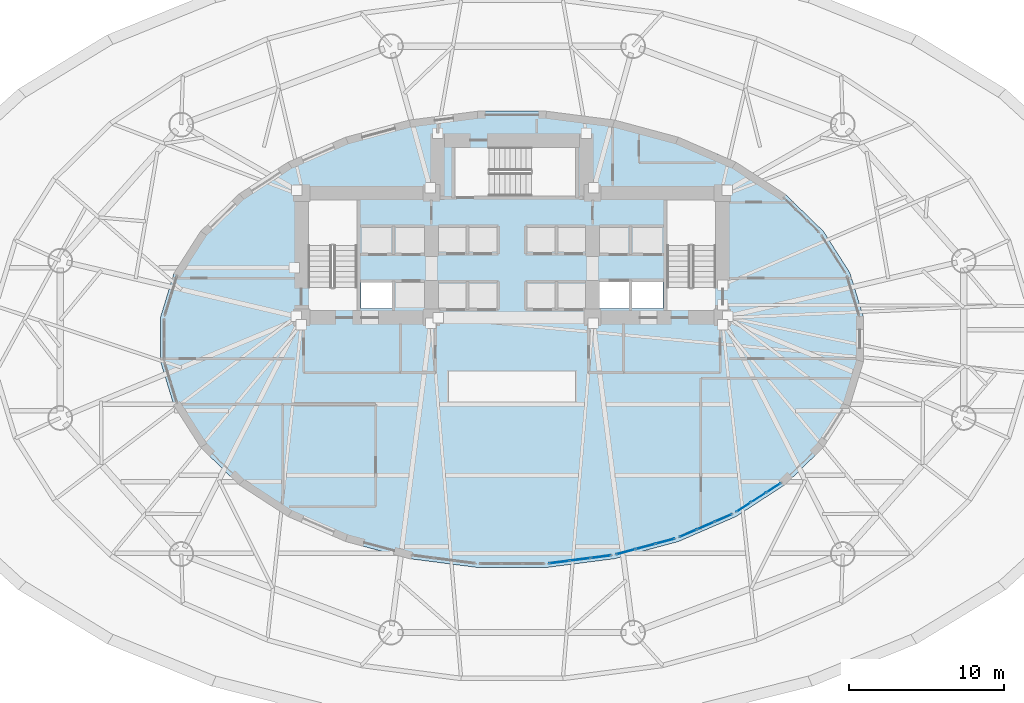
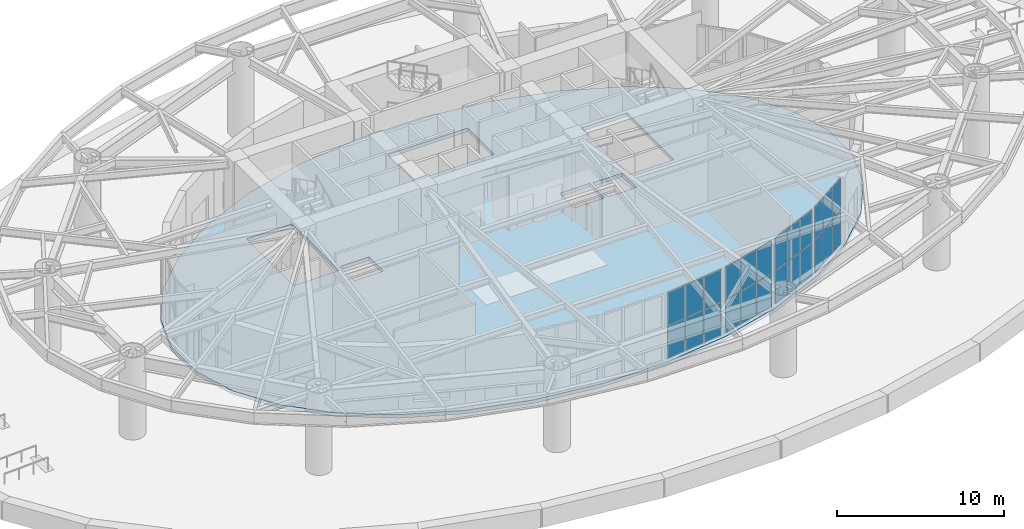
# One storey, part 11 of 21: 24 plates, 1 slab, 4 elements without a shape of their own.
"""IFC4 building model written with IfcOpenShell, lengths in metres."""

from ifc_helpers import new_model, si_unit, direction, frame, origin, origin_2d, place, context, subcontext, project, spatial, polyline, rectangle, outline, extrude, material, layer, layer_set, type_object, element, aggregate, save


model = new_model("IFC4")

# Units and contexts
model_context = context("Model", 3, precision=1e-05, world=origin(), true_north=direction((0.0, 1.0)))
body_context = subcontext(model_context, "Body", "Model", "MODEL_VIEW")
ifc_project = project(units=[si_unit("LENGTHUNIT", "METRE"), si_unit("AREAUNIT", "SQUARE_METRE"), si_unit("VOLUMEUNIT", "CUBIC_METRE"), si_unit("PLANEANGLEUNIT", "RADIAN"), si_unit("MASSUNIT", "GRAM", prefix="KILO")], contexts=[model_context])

# Site, building, storey
site_placement = place(None, origin())
site = spatial("IfcSite", under=ifc_project, at=site_placement, CompositionType="ELEMENT")
building_placement = place(site_placement, origin())
building = spatial("IfcBuilding", under=site, at=building_placement, Name="Keldmark Tower", CompositionType="ELEMENT")
storey_placement = place(building_placement, origin())
storey = spatial("IfcBuildingStorey", under=building, at=storey_placement, Name="L00", CompositionType="ELEMENT", Elevation=0.0)

# Slab
ifc_material_1 = material(Name="Concrete C35/45", Category="concrete")
ifc_layer_1 = layer(ifc_material_1, 0.260009765625)
ifc_layer_set_1 = layer_set([ifc_layer_1], Name="Concrete C35/45")
slab_type = type_object("IfcSlabType", Name="Podium Ground Slab 260 mm", PredefinedType="FLOOR", material=ifc_layer_set_1)
slab_placement = place(storey_placement, frame((0.0, 0.0, -0.260009765625)))
element("IfcSlab", 1, at=slab_placement, inside=storey, type_object=slab_type, Name="L00 Wintergarden Lobby Structural Slab", PredefinedType="FLOOR", context=body_context, shape_type="SweptSolid", body=[
    extrude(outline(polyline([(22.690185546875, 1.45068359375), (21.818115234375, 4.296142578125), (20.10791015625, 6.976806640625), (17.62451171875, 9.388916015625), (14.464111328125, 11.440673828125), (10.747802734375, 13.052490234375), (6.618408203125, 14.16259765625), (2.23486328125, 14.728759765625), (-2.23486328125, 14.728759765625), (-6.618408203125, 14.16259765625), (-10.747802734375, 13.052490234375), (-14.464111328125, 11.440673828125), (-17.62451171875, 9.388916015625), (-20.10791015625, 6.976806640625), (-21.818115234375, 4.296142578125), (-22.690185546875, 1.45068359375), (-22.690185546875, -1.45068359375), (-21.818115234375, -4.296142578125), (-20.10791015625, -6.976806640625), (-17.62451171875, -9.388916015625), (-14.464111328125, -11.440673828125), (-10.747802734375, -13.052490234375), (-6.618408203125, -14.16259765625), (-2.23486328125, -14.728759765625), (2.23486328125, -14.728759765625), (6.618408203125, -14.16259765625), (10.747802734375, -13.052490234375), (14.464111328125, -11.440673828125), (17.62451171875, -9.388916015625), (20.10791015625, -6.976806640625), (21.818115234375, -4.296142578125), (22.690185546875, -1.45068359375), (22.690185546875, 1.45068359375)]), holes=[polyline([(-10.0, 3.385009765625), (-10.0, 9.0), (-13.14990234375, 9.0), (-13.14990234375, 3.385009765625), (-10.0, 3.385009765625)]), polyline([(13.14990234375, 3.385009765625), (13.14990234375, 9.0), (10.0, 9.0), (10.0, 3.385009765625), (13.14990234375, 3.385009765625)]), polyline([(-1.43994140625, 9.25), (4.10498046875, 9.25), (4.10498046875, 12.39990234375), (-1.43994140625, 12.39990234375), (-1.43994140625, 9.25)]), polyline([(-9.75, 2.0), (-7.75, 2.0), (-7.75, 3.699951171875), (-9.75, 3.699951171875), (-9.75, 2.0)]), polyline([(7.75, 2.0), (9.75, 2.0), (9.75, 3.699951171875), (7.75, 3.699951171875), (7.75, 2.0)]), polyline([(5.449951171875, 2.0), (7.550048828125, 2.0), (7.550048828125, 3.75), (5.449951171875, 3.75), (5.449951171875, 2.0)])]), origin(), (0.0, 0.0, 1.0), 0.260009765625),
])

# Curtain wall, plates
ifc_material_2 = material(Name="Unitized Thermally Broken Aluminum and Triple Low-E Glazing", Category="aluminium")
ifc_layer_2 = layer(ifc_material_2, 0.219970703125)
ifc_layer_set_2 = layer_set([ifc_layer_2], Name="Unitized Thermally Broken Aluminum and Triple Low-E Glazing")
curtain_wall_type = type_object("IfcCurtainWallType", Name="Podium Wintergarden Curtain Wall System", PredefinedType="NOTDEFINED", material=ifc_layer_set_2)
curtain_wall_1_placement = place(storey_placement, origin())
curtain_wall_1 = element("IfcCurtainWall", 2, at=curtain_wall_1_placement, inside=storey, type_object=curtain_wall_type, Name="L00 Podium Wintergarden Curtain Wall System CW-L00-25", PredefinedType="NOTDEFINED")
ifc_material_3 = material(Name="Triple Silver Low-E Insulated Glass Unit", Category="glass")
ifc_layer_3 = layer(ifc_material_3, 0.035888671875)
ifc_layer_set_3 = layer_set([ifc_layer_3], Name="Triple Silver Low-E Insulated Glass Unit")
plate_type = type_object("IfcPlateType", Name="Triple Low-E Vision Glazing Panel 36 mm", PredefinedType="CURTAIN_PANEL", material=ifc_layer_set_3)
plate_1_placement = place(storey_placement, frame((3.042236328125, -14.382568359375, 0.06005859375), z_axis=(0.0, 0.0, 1.0), x_axis=(0.991766193683, 0.128061770519, 0.0)))
plate_1 = element("IfcPlate", 3, at=plate_1_placement, type_object=plate_type, Name="CW panel 1.1", PredefinedType="CURTAIN_PANEL", context=body_context, shape_type="SweptSolid", body=[
    extrude(rectangle(XDim=1.2900390625, YDim=0.035888671875, at=origin_2d()), origin(), (0.0, 0.0, 1.0), 2.364501953125),
])
plate_2_placement = place(storey_placement, frame((3.042236328125, -14.382568359375, 2.484375), z_axis=(0.0, 0.0, 1.0), x_axis=(0.991766193683, 0.128061770519, 0.0)))
plate_2 = element("IfcPlate", 4, at=plate_2_placement, type_object=plate_type, Name="CW panel 1.2", PredefinedType="CURTAIN_PANEL", context=body_context, shape_type="SweptSolid", body=[
    extrude(rectangle(XDim=1.2900390625, YDim=0.035888671875, at=origin_2d()), origin(), (0.0, 0.0, 1.0), 2.364501953125),
])
plate_3_placement = place(storey_placement, frame((4.39599609375, -14.207763671875, 0.06005859375), z_axis=(0.0, 0.0, 1.0), x_axis=(0.991766193683, 0.128061770519, 0.0)))
plate_3 = element("IfcPlate", 5, at=plate_3_placement, type_object=plate_type, Name="CW panel 2.1", PredefinedType="CURTAIN_PANEL", context=body_context, shape_type="SweptSolid", body=[
    extrude(rectangle(XDim=1.320068359375, YDim=0.035888671875, at=origin_2d()), origin(), (0.0, 0.0, 1.0), 2.364501953125),
])
plate_4_placement = place(storey_placement, frame((4.39599609375, -14.207763671875, 2.484375), z_axis=(0.0, 0.0, 1.0), x_axis=(0.991766193683, 0.128061770519, 0.0)))
plate_4 = element("IfcPlate", 6, at=plate_4_placement, type_object=plate_type, Name="CW panel 2.2", PredefinedType="CURTAIN_PANEL", context=body_context, shape_type="SweptSolid", body=[
    extrude(rectangle(XDim=1.320068359375, YDim=0.035888671875, at=origin_2d()), origin(), (0.0, 0.0, 1.0), 2.364501953125),
])
plate_5_placement = place(storey_placement, frame((5.749755859375, -14.032958984375, 0.06005859375), z_axis=(0.0, 0.0, 1.0), x_axis=(0.991766193683, 0.128061770519, 0.0)))
plate_5 = element("IfcPlate", 7, at=plate_5_placement, type_object=plate_type, Name="CW panel 3.1", PredefinedType="CURTAIN_PANEL", context=body_context, shape_type="SweptSolid", body=[
    extrude(rectangle(XDim=1.2900390625, YDim=0.035888671875, at=origin_2d()), origin(), (0.0, 0.0, 1.0), 2.364501953125),
])
plate_6_placement = place(storey_placement, frame((5.749755859375, -14.032958984375, 2.484375), z_axis=(0.0, 0.0, 1.0), x_axis=(0.991766193683, 0.128061770519, 0.0)))
plate_6 = element("IfcPlate", 8, at=plate_6_placement, type_object=plate_type, Name="CW panel 3.2", PredefinedType="CURTAIN_PANEL", context=body_context, shape_type="SweptSolid", body=[
    extrude(rectangle(XDim=1.2900390625, YDim=0.035888671875, at=origin_2d()), origin(), (0.0, 0.0, 1.0), 2.364501953125),
])
aggregate(curtain_wall_1, [plate_1, plate_2, plate_3, plate_4, plate_5, plate_6])

curtain_wall_2_placement = place(storey_placement, origin())
curtain_wall_2 = element("IfcCurtainWall", 9, at=curtain_wall_2_placement, inside=storey, type_object=curtain_wall_type, Name="L00 Podium Wintergarden Curtain Wall System CW-L00-26", PredefinedType="NOTDEFINED")
plate_7_placement = place(storey_placement, frame((7.34912109375, -13.7177734375, 0.06005859375), z_axis=(0.0, 0.0, 1.0), x_axis=(0.965705826517, 0.259638704032, 0.0)))
plate_7 = element("IfcPlate", 10, at=plate_7_placement, type_object=plate_type, Name="CW panel 1.1", PredefinedType="CURTAIN_PANEL", context=body_context, shape_type="SweptSolid", body=[
    extrude(rectangle(XDim=1.241943359375, YDim=0.035888671875, at=origin_2d()), origin(), (0.0, 0.0, 1.0), 2.364501953125),
])
plate_8_placement = place(storey_placement, frame((7.34912109375, -13.7177734375, 2.484375), z_axis=(0.0, 0.0, 1.0), x_axis=(0.965705826517, 0.259638704032, 0.0)))
plate_8 = element("IfcPlate", 11, at=plate_8_placement, type_object=plate_type, Name="CW panel 1.2", PredefinedType="CURTAIN_PANEL", context=body_context, shape_type="SweptSolid", body=[
    extrude(rectangle(XDim=1.241943359375, YDim=0.035888671875, at=origin_2d()), origin(), (0.0, 0.0, 1.0), 2.364501953125),
])
plate_9_placement = place(storey_placement, frame((8.620849609375, -13.375732421875, 0.06005859375), z_axis=(0.0, 0.0, 1.0), x_axis=(0.965705826517, 0.259638704032, 0.0)))
plate_9 = element("IfcPlate", 12, at=plate_9_placement, type_object=plate_type, Name="CW panel 2.1", PredefinedType="CURTAIN_PANEL", context=body_context, shape_type="SweptSolid", body=[
    extrude(rectangle(XDim=1.27197265625, YDim=0.035888671875, at=origin_2d()), origin(), (0.0, 0.0, 1.0), 2.364501953125),
])
plate_10_placement = place(storey_placement, frame((8.620849609375, -13.375732421875, 2.484375), z_axis=(0.0, 0.0, 1.0), x_axis=(0.965705826517, 0.259638704032, 0.0)))
plate_10 = element("IfcPlate", 13, at=plate_10_placement, type_object=plate_type, Name="CW panel 2.2", PredefinedType="CURTAIN_PANEL", context=body_context, shape_type="SweptSolid", body=[
    extrude(rectangle(XDim=1.27197265625, YDim=0.035888671875, at=origin_2d()), origin(), (0.0, 0.0, 1.0), 2.364501953125),
])
plate_11_placement = place(storey_placement, frame((9.892578125, -13.03369140625, 0.06005859375), z_axis=(0.0, 0.0, 1.0), x_axis=(0.965705826517, 0.259638704032, 0.0)))
plate_11 = element("IfcPlate", 14, at=plate_11_placement, type_object=plate_type, Name="CW panel 3.1", PredefinedType="CURTAIN_PANEL", context=body_context, shape_type="SweptSolid", body=[
    extrude(rectangle(XDim=1.241943359375, YDim=0.035888671875, at=origin_2d()), origin(), (0.0, 0.0, 1.0), 2.364501953125),
])
plate_12_placement = place(storey_placement, frame((9.892578125, -13.03369140625, 2.484375), z_axis=(0.0, 0.0, 1.0), x_axis=(0.965705826517, 0.259638704032, 0.0)))
plate_12 = element("IfcPlate", 15, at=plate_12_placement, type_object=plate_type, Name="CW panel 3.2", PredefinedType="CURTAIN_PANEL", context=body_context, shape_type="SweptSolid", body=[
    extrude(rectangle(XDim=1.241943359375, YDim=0.035888671875, at=origin_2d()), origin(), (0.0, 0.0, 1.0), 2.364501953125),
])
aggregate(curtain_wall_2, [plate_7, plate_8, plate_9, plate_10, plate_11, plate_12])

curtain_wall_3_placement = place(storey_placement, origin())
curtain_wall_3 = element("IfcCurtainWall", 16, at=curtain_wall_3_placement, inside=storey, type_object=curtain_wall_type, Name="L00 Podium Wintergarden Curtain Wall System CW-L00-27", PredefinedType="NOTDEFINED")
plate_13_placement = place(storey_placement, frame((11.37109375, -12.5205078125, 0.06005859375), z_axis=(0.0, 0.0, 1.0), x_axis=(0.91743561751, 0.397884264234, 0.0)))
plate_13 = element("IfcPlate", 17, at=plate_13_placement, type_object=plate_type, Name="CW panel 1.1", PredefinedType="CURTAIN_PANEL", context=body_context, shape_type="SweptSolid", body=[
    extrude(rectangle(XDim=1.1669921875, YDim=0.035888671875, at=origin_2d()), origin(), (0.0, 0.0, 1.0), 2.364501953125),
])
plate_14_placement = place(storey_placement, frame((11.37109375, -12.5205078125, 2.484375), z_axis=(0.0, 0.0, 1.0), x_axis=(0.91743561751, 0.397884264234, 0.0)))
plate_14 = element("IfcPlate", 18, at=plate_14_placement, type_object=plate_type, Name="CW panel 1.2", PredefinedType="CURTAIN_PANEL", context=body_context, shape_type="SweptSolid", body=[
    extrude(rectangle(XDim=1.1669921875, YDim=0.035888671875, at=origin_2d()), origin(), (0.0, 0.0, 1.0), 2.364501953125),
])
plate_15_placement = place(storey_placement, frame((12.510498046875, -12.0263671875, 0.06005859375), z_axis=(0.0, 0.0, 1.0), x_axis=(0.91743561751, 0.397884264234, 0.0)))
plate_15 = element("IfcPlate", 19, at=plate_15_placement, type_object=plate_type, Name="CW panel 2.1", PredefinedType="CURTAIN_PANEL", context=body_context, shape_type="SweptSolid", body=[
    extrude(rectangle(XDim=1.197021484375, YDim=0.035888671875, at=origin_2d()), origin(), (0.0, 0.0, 1.0), 2.364501953125),
])
plate_16_placement = place(storey_placement, frame((12.510498046875, -12.0263671875, 2.484375), z_axis=(0.0, 0.0, 1.0), x_axis=(0.91743561751, 0.397884264234, 0.0)))
plate_16 = element("IfcPlate", 20, at=plate_16_placement, type_object=plate_type, Name="CW panel 2.2", PredefinedType="CURTAIN_PANEL", context=body_context, shape_type="SweptSolid", body=[
    extrude(rectangle(XDim=1.197021484375, YDim=0.035888671875, at=origin_2d()), origin(), (0.0, 0.0, 1.0), 2.364501953125),
])
plate_17_placement = place(storey_placement, frame((13.64990234375, -11.5322265625, 0.06005859375), z_axis=(0.0, 0.0, 1.0), x_axis=(0.91743561751, 0.397884264234, 0.0)))
plate_17 = element("IfcPlate", 21, at=plate_17_placement, type_object=plate_type, Name="CW panel 3.1", PredefinedType="CURTAIN_PANEL", context=body_context, shape_type="SweptSolid", body=[
    extrude(rectangle(XDim=1.1669921875, YDim=0.035888671875, at=origin_2d()), origin(), (0.0, 0.0, 1.0), 2.364501953125),
])
plate_18_placement = place(storey_placement, frame((13.64990234375, -11.5322265625, 2.484375), z_axis=(0.0, 0.0, 1.0), x_axis=(0.91743561751, 0.397884264234, 0.0)))
plate_18 = element("IfcPlate", 22, at=plate_18_placement, type_object=plate_type, Name="CW panel 3.2", PredefinedType="CURTAIN_PANEL", context=body_context, shape_type="SweptSolid", body=[
    extrude(rectangle(XDim=1.1669921875, YDim=0.035888671875, at=origin_2d()), origin(), (0.0, 0.0, 1.0), 2.364501953125),
])
aggregate(curtain_wall_3, [plate_13, plate_14, plate_15, plate_16, plate_17, plate_18])

curtain_wall_4_placement = place(storey_placement, origin())
curtain_wall_4 = element("IfcCurtainWall", 23, at=curtain_wall_4_placement, inside=storey, type_object=curtain_wall_type, Name="L00 Podium Wintergarden Curtain Wall System CW-L00-28", PredefinedType="NOTDEFINED")
plate_19_placement = place(storey_placement, frame((14.951171875, -10.83837890625, 0.06005859375), z_axis=(0.0, 0.0, 1.0), x_axis=(0.838763122505, 0.544496486973, 0.0)))
plate_19 = element("IfcPlate", 24, at=plate_19_placement, type_object=plate_type, Name="CW panel 1.1", PredefinedType="CURTAIN_PANEL", context=body_context, shape_type="SweptSolid", body=[
    extrude(rectangle(XDim=1.07275390625, YDim=0.035888671875, at=origin_2d()), origin(), (0.0, 0.0, 1.0), 2.364501953125),
])
plate_20_placement = place(storey_placement, frame((14.951171875, -10.83837890625, 2.484375), z_axis=(0.0, 0.0, 1.0), x_axis=(0.838763122505, 0.544496486973, 0.0)))
plate_20 = element("IfcPlate", 25, at=plate_20_placement, type_object=plate_type, Name="CW panel 1.2", PredefinedType="CURTAIN_PANEL", context=body_context, shape_type="SweptSolid", body=[
    extrude(rectangle(XDim=1.07275390625, YDim=0.035888671875, at=origin_2d()), origin(), (0.0, 0.0, 1.0), 2.364501953125),
])
plate_21_placement = place(storey_placement, frame((15.913818359375, -10.21337890625, 0.06005859375), z_axis=(0.0, 0.0, 1.0), x_axis=(0.838763122505, 0.544496486973, 0.0)))
plate_21 = element("IfcPlate", 26, at=plate_21_placement, type_object=plate_type, Name="CW panel 2.1", PredefinedType="CURTAIN_PANEL", context=body_context, shape_type="SweptSolid", body=[
    extrude(rectangle(XDim=1.102783203125, YDim=0.035888671875, at=origin_2d()), origin(), (0.0, 0.0, 1.0), 2.364501953125),
])
plate_22_placement = place(storey_placement, frame((15.913818359375, -10.21337890625, 2.484375), z_axis=(0.0, 0.0, 1.0), x_axis=(0.838763122505, 0.544496486973, 0.0)))
plate_22 = element("IfcPlate", 27, at=plate_22_placement, type_object=plate_type, Name="CW panel 2.2", PredefinedType="CURTAIN_PANEL", context=body_context, shape_type="SweptSolid", body=[
    extrude(rectangle(XDim=1.102783203125, YDim=0.035888671875, at=origin_2d()), origin(), (0.0, 0.0, 1.0), 2.364501953125),
])
plate_23_placement = place(storey_placement, frame((16.876220703125, -9.588623046875, 0.06005859375), z_axis=(0.0, 0.0, 1.0), x_axis=(0.838763122505, 0.544496486973, 0.0)))
plate_23 = element("IfcPlate", 28, at=plate_23_placement, type_object=plate_type, Name="CW panel 3.1", PredefinedType="CURTAIN_PANEL", context=body_context, shape_type="SweptSolid", body=[
    extrude(rectangle(XDim=1.07275390625, YDim=0.035888671875, at=origin_2d()), origin(), (0.0, 0.0, 1.0), 2.364501953125),
])
plate_24_placement = place(storey_placement, frame((16.876220703125, -9.588623046875, 2.484375), z_axis=(0.0, 0.0, 1.0), x_axis=(0.838763122505, 0.544496486973, 0.0)))
plate_24 = element("IfcPlate", 29, at=plate_24_placement, type_object=plate_type, Name="CW panel 3.2", PredefinedType="CURTAIN_PANEL", context=body_context, shape_type="SweptSolid", body=[
    extrude(rectangle(XDim=1.07275390625, YDim=0.035888671875, at=origin_2d()), origin(), (0.0, 0.0, 1.0), 2.364501953125),
])
aggregate(curtain_wall_4, [plate_19, plate_20, plate_21, plate_22, plate_23, plate_24])

save(model, "model.ifc")
